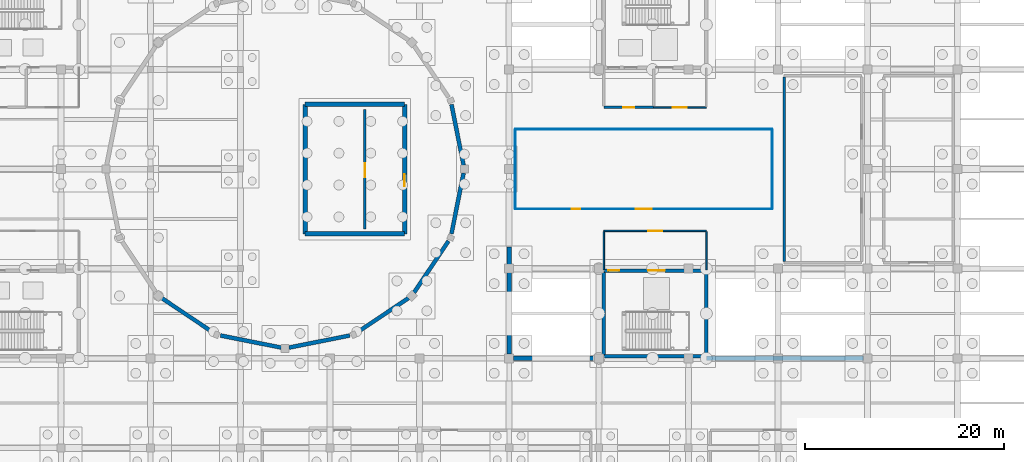
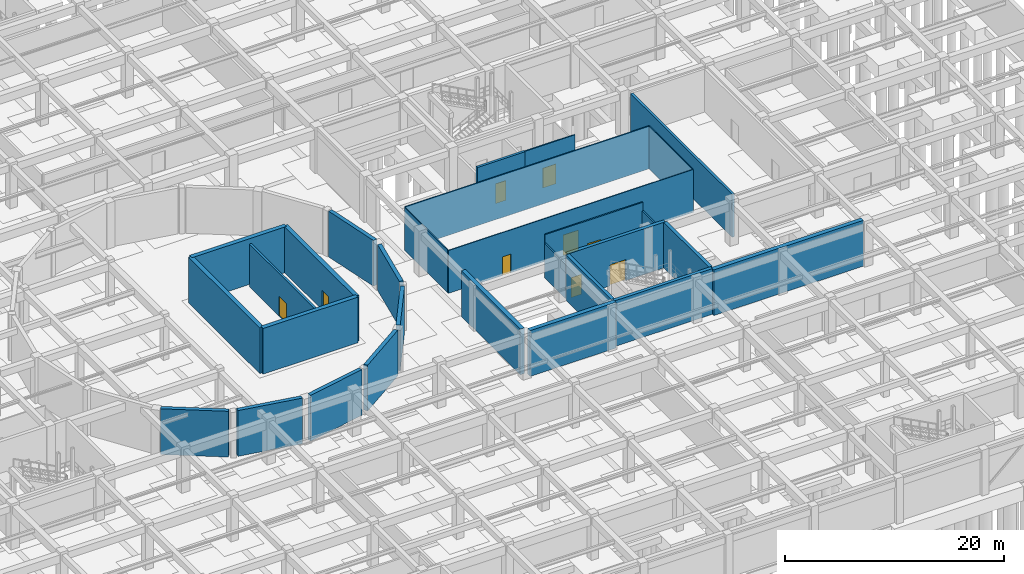
# One storey, part 45 of 62: 29 walls, 9 doors, 9 openings.
"""IFC4 building model written with IfcOpenShell, lengths in metres."""

from ifc_helpers import new_model, si_unit, direction, frame, frame_2d, origin, place, context, subcontext, project, spatial, rectangle, extrude, material, layer, layer_set, type_object, element, fill, save


model = new_model("IFC4")

# Units and contexts
model_context = context("Model", 3, precision=1e-05, world=origin(), true_north=direction((0.0, 1.0)))
body_context = subcontext(model_context, "Body", "Model", "MODEL_VIEW")
ifc_project = project(units=[si_unit("LENGTHUNIT", "METRE"), si_unit("AREAUNIT", "SQUARE_METRE"), si_unit("VOLUMEUNIT", "CUBIC_METRE"), si_unit("PLANEANGLEUNIT", "RADIAN"), si_unit("MASSUNIT", "GRAM", prefix="KILO")], contexts=[model_context])

# Site, building, storey
site_placement = place(None, origin())
site = spatial("IfcSite", under=ifc_project, at=site_placement, CompositionType="ELEMENT")
building_placement = place(site_placement, origin())
building = spatial("IfcBuilding", under=site, at=building_placement, Name="Miravela Opera House", CompositionType="ELEMENT")
storey_placement = place(building_placement, frame((0.0, 0.0, -5.10009765625)))
storey = spatial("IfcBuildingStorey", under=building, at=storey_placement, Name="B01", CompositionType="ELEMENT", Elevation=-5.10009765625)

# Wall, openings, doors
ifc_material_1 = material(Name="Acoustic metal-stud gypsum partition")
ifc_layer_1 = layer(ifc_material_1, 0.090087890625)
ifc_layer_set_1 = layer_set([ifc_layer_1])
wall_type_1 = type_object("IfcWallType", Name="ARC-PT-090", PredefinedType="PARTITIONING", material=ifc_layer_set_1)
wall_1_placement = place(storey_placement, frame((99.60009765625, 52.0, 0.0), z_axis=(0.0, 0.0, 1.0), x_axis=(1.0, 0.0, 0.0)))
wall_1 = element("IfcWall", 1, at=wall_1_placement, inside=storey, type_object=wall_type_1, Name="Orchestra Musician Warm-Up Hall Partition South", PredefinedType="PARTITIONING", context=body_context, shape_type="SweptSolid", body=[
    extrude(rectangle(XDim=25.7998046875, YDim=0.090087890625, at=frame_2d((12.89990234375, 0.0))), origin(), (0.0, 0.0, 1.0), 4.780029296875),
])
opening_1_placement = place(wall_1_placement, frame((12.10009765625, 0.0, 0.0)))
opening_1 = element("IfcOpeningElement", 2, at=opening_1_placement, cuts=wall_1, Name="Opening FD-04", PredefinedType="OPENING", context=body_context, shape_type="SweptSolid", body=[
    extrude(rectangle(XDim=1.60009765625, YDim=2.25, at=frame_2d((0.800048828125, 1.125))), frame((0.0, 0.054931640625, 0.0), z_axis=(0.0, -1.0, 0.0), x_axis=(1.0, 0.0, 0.0)), (0.0, 0.0, 1.0), 0.110107421875),
])
opening_2_placement = place(wall_1_placement, frame((5.676025390625, 0.0, 0.0)))
opening_2 = element("IfcOpeningElement", 3, at=opening_2_placement, cuts=wall_1, Name="Opening ID-07", PredefinedType="OPENING", context=body_context, shape_type="SweptSolid", body=[
    extrude(rectangle(XDim=0.8798828125, YDim=2.080078125, at=frame_2d((0.43994140625, 1.0400390625))), frame((0.0, 0.054931640625, 0.0), z_axis=(0.0, -1.0, 0.0), x_axis=(1.0, 0.0, 0.0)), (0.0, 0.0, 1.0), 0.110107421875),
])
ifc_material_2 = material(Name="Fire-rated rehearsal/vomitory double door")
door_type_1 = type_object("IfcDoorType", Name="ARC-FD-1600X2250", OperationType="NOTDEFINED", PredefinedType="DOOR", material=ifc_material_2)
door_1_placement = place(opening_1_placement, origin())
door_1 = element("IfcDoor", 4, at=door_1_placement, inside=storey, type_object=door_type_1, Name="Orchestra Musician Warm-Up Hall Entry Door IDR-B01-0071", OperationType="DOUBLE_DOOR_SINGLE_SWING", OverallHeight=2.25, OverallWidth=1.60009765625, PredefinedType="DOOR", context=body_context, shape_type="SweptSolid", body=[
    extrude(rectangle(XDim=1.60009765625, YDim=2.25, at=frame_2d((0.800048828125, 1.125))), frame((0.0, 0.02490234375, 0.0), z_axis=(0.0, -1.0, 0.0), x_axis=(1.0, 0.0, 0.0)), (0.0, 0.0, 1.0), 0.050048828125),
])
fill(opening_1, door_1)
ifc_material_3 = material(Name="Hardwood acoustic timber door leaf", Category="wood")
door_type_2 = type_object("IfcDoorType", Name="ARC-IDR-88X208", OperationType="NOTDEFINED", PredefinedType="DOOR", material=ifc_material_3)
door_2_placement = place(opening_2_placement, origin())
door_2 = element("IfcDoor", 5, at=door_2_placement, inside=storey, type_object=door_type_2, Name="Orchestra Musician Warm-Up Hall Secondary Exit Door IDR-B01-0072", OperationType="SINGLE_SWING_RIGHT", OverallHeight=2.080078125, OverallWidth=0.8798828125, PredefinedType="DOOR", context=body_context, shape_type="SweptSolid", body=[
    extrude(rectangle(XDim=0.8798828125, YDim=2.080078125, at=frame_2d((0.43994140625, 1.0400390625))), frame((0.0, 0.02490234375, 0.0), z_axis=(0.0, -1.0, 0.0), x_axis=(1.0, 0.0, 0.0)), (0.0, 0.0, 1.0), 0.050048828125),
])
fill(opening_2, door_2)

# Walls
wall_2_placement = place(storey_placement, frame((99.60009765625, 60.0, 0.0), z_axis=(0.0, 0.0, 1.0), x_axis=(1.0, 0.0, 0.0)))
element("IfcWall", 6, at=wall_2_placement, inside=storey, type_object=wall_type_1, Name="Orchestra Musician Warm-Up Hall Partition North", PredefinedType="PARTITIONING", context=body_context, shape_type="SweptSolid", body=[
    extrude(rectangle(XDim=25.7998046875, YDim=0.090087890625, at=frame_2d((12.89990234375, 0.0))), origin(), (0.0, 0.0, 1.0), 4.780029296875),
])
for number, where, z_axis, x_axis, name in (
    (7, (99.60009765625, 52.044921875, 0.0), (0.0, 0.0, 1.0), (0.0, 1.0, 0.0), "Orchestra Musician Warm-Up Hall Partition West"),
    (8, (125.39990234375, 52.044921875, 0.0), (0.0, 0.0, 1.0), (0.0, 1.0, 0.0), "Orchestra Musician Warm-Up Hall Partition East"),
):
    element("IfcWall", number, at=place(storey_placement, frame(where, z_axis=z_axis, x_axis=x_axis)), inside=storey, type_object=wall_type_1, Name=name, PredefinedType="PARTITIONING", context=body_context, shape_type="SweptSolid", body=[
        extrude(rectangle(XDim=7.91015625, YDim=0.090087890625, at=frame_2d((3.955078125, 0.0))), origin(), (0.0, 0.0, 1.0), 4.780029296875),
    ])

# Wall, opening, door
ifc_material_4 = material(Name="Fire-rated acoustic gypsum partition")
ifc_layer_2 = layer(ifc_material_4, 0.1298828125)
ifc_layer_set_2 = layer_set([ifc_layer_2])
wall_type_2 = type_object("IfcWallType", Name="ARC-PT-130", PredefinedType="PARTITIONING", material=ifc_layer_set_2)
wall_3_placement = place(storey_placement, frame((113.5, 62.199951171875, 0.0), z_axis=(0.0, 0.0, 1.0), x_axis=(1.0, 0.0, 0.0)))
wall_3 = element("IfcWall", 9, at=wall_3_placement, inside=storey, type_object=wall_type_2, Name="Passenger Lift Lobby K3 B01 Partition South", PredefinedType="PARTITIONING", context=body_context, shape_type="SweptSolid", body=[
    extrude(rectangle(XDim=5.300048828125, YDim=0.1298828125, at=frame_2d((2.64990234375, 0.0))), origin(), (0.0, 0.0, 1.0), 4.780029296875),
])
opening_3_placement = place(wall_3_placement, frame((1.949951171875, 0.0, 0.0)))
opening_3 = element("IfcOpeningElement", 10, at=opening_3_placement, cuts=wall_3, Name="Opening FD-03", PredefinedType="OPENING", context=body_context, shape_type="SweptSolid", body=[
    extrude(rectangle(XDim=1.39990234375, YDim=2.199951171875, at=frame_2d((0.699951171875, 1.10009765625))), frame((0.0, 0.074951171875, 0.0), z_axis=(0.0, -1.0, 0.0), x_axis=(1.0, 0.0, 0.0)), (0.0, 0.0, 1.0), 0.14990234375),
])
ifc_material_5 = material(Name="Fire-rated lobby/archive double door")
door_type_3 = type_object("IfcDoorType", Name="ARC-FD-1400X2200", OperationType="NOTDEFINED", PredefinedType="DOOR", material=ifc_material_5)
door_3_placement = place(opening_3_placement, frame((1.39990234375, 0.0, 0.0), z_axis=(0.0, 0.0, 1.0), x_axis=(-1.0, 0.0, 0.0)))
door_3 = element("IfcDoor", 11, at=door_3_placement, inside=storey, type_object=door_type_3, Name="Passenger Lift Lobby K3 B01 Entry Door IDR-B01-0064", OperationType="DOUBLE_DOOR_SINGLE_SWING", OverallHeight=2.199951171875, OverallWidth=1.39990234375, PredefinedType="DOOR", context=body_context, shape_type="SweptSolid", body=[
    extrude(rectangle(XDim=1.39990234375, YDim=2.199951171875, at=frame_2d((0.699951171875, 1.10009765625))), frame((0.0, 0.02490234375, 0.0), z_axis=(0.0, -1.0, 0.0), x_axis=(1.0, 0.0, 0.0)), (0.0, 0.0, 1.0), 0.050048828125),
])
fill(opening_3, door_3)

ifc_material_6 = material(Name="Studio double-stud acoustic partition")
ifc_layer_3 = layer(ifc_material_6, 0.14990234375)
ifc_layer_set_3 = layer_set([ifc_layer_3])
wall_type_3 = type_object("IfcWallType", Name="ARC-PT-145", PredefinedType="PARTITIONING", material=ifc_layer_set_3)
wall_4_placement = place(storey_placement, frame((108.5, 49.800048828125, 0.0), z_axis=(0.0, 0.0, 1.0), x_axis=(1.0, 0.0, 0.0)))
wall_4 = element("IfcWall", 12, at=wall_4_placement, inside=storey, type_object=wall_type_3, Name="Passenger Lift Lobby K4 B01 Partition North", PredefinedType="PARTITIONING", context=body_context, shape_type="SweptSolid", body=[
    extrude(rectangle(XDim=10.300048828125, YDim=0.14990234375, at=frame_2d((5.14990234375, 0.0))), origin(), (0.0, 0.0, 1.0), 4.780029296875),
])
opening_4_placement = place(wall_4_placement, frame((4.449951171875, 0.0, 0.0)))
opening_4 = element("IfcOpeningElement", 13, at=opening_4_placement, cuts=wall_4, Name="Opening FD-03", PredefinedType="OPENING", context=body_context, shape_type="SweptSolid", body=[
    extrude(rectangle(XDim=1.39990234375, YDim=2.199951171875, at=frame_2d((0.699951171875, 1.10009765625))), frame((0.0, 0.0849609375, 0.0), z_axis=(0.0, -1.0, 0.0), x_axis=(1.0, 0.0, 0.0)), (0.0, 0.0, 1.0), 0.169921875),
])
door_4_placement = place(opening_4_placement, origin())
door_4 = element("IfcDoor", 14, at=door_4_placement, inside=storey, type_object=door_type_3, Name="Passenger Lift Lobby K4 B01 Entry Door IDR-B01-0065", OperationType="DOUBLE_DOOR_SINGLE_SWING", OverallHeight=2.199951171875, OverallWidth=1.39990234375, PredefinedType="DOOR", context=body_context, shape_type="SweptSolid", body=[
    extrude(rectangle(XDim=1.39990234375, YDim=2.199951171875, at=frame_2d((0.699951171875, 1.10009765625))), frame((0.0, 0.02490234375, 0.0), z_axis=(0.0, -1.0, 0.0), x_axis=(1.0, 0.0, 0.0)), (0.0, 0.0, 1.0), 0.050048828125),
])
fill(opening_4, door_4)

# Walls
for number, where, z_axis, x_axis, name in (
    (15, (108.5, 45.875, 0.0), (0.0, 0.0, 1.0), (0.0, 1.0, 0.0), "Passenger Lift Lobby K4 B01 Partition West"),
    (16, (118.800048828125, 45.875, 0.0), (0.0, 0.0, 1.0), (0.0, 1.0, 0.0), "Passenger Lift Lobby K4 B01 Partition East"),
):
    element("IfcWall", number, at=place(storey_placement, frame(where, z_axis=z_axis, x_axis=x_axis)), inside=storey, type_object=wall_type_3, Name=name, PredefinedType="PARTITIONING", context=body_context, shape_type="SweptSolid", body=[
        extrude(rectangle(XDim=3.85009765625, YDim=0.14990234375, at=frame_2d((1.925048828125, 0.0))), origin(), (0.0, 0.0, 1.0), 3.860107421875),
    ])

# Wall, opening, door
ifc_material_7 = material(Name="High-STC auditorium lobby partition")
ifc_layer_4 = layer(ifc_material_7, 0.22998046875)
ifc_layer_set_4 = layer_set([ifc_layer_4])
wall_type_4 = type_object("IfcWallType", Name="ARC-PT-205", PredefinedType="PARTITIONING", material=ifc_layer_set_4)
wall_5_placement = place(storey_placement, frame((84.5, 50.0, 0.0), z_axis=(0.0, 0.0, 1.0), x_axis=(0.0, 1.0, 0.0)))
wall_5 = element("IfcWall", 17, at=wall_5_placement, inside=storey, type_object=wall_type_4, Name="Orchestra Pit to Substage Acoustic Partition", PredefinedType="PARTITIONING", context=body_context, shape_type="SweptSolid", body=[
    extrude(rectangle(XDim=12.0, YDim=0.22998046875, at=frame_2d((6.0, 0.0))), origin(), (0.0, 0.0, 1.0), 4.75),
])
opening_5_placement = place(wall_5_placement, frame((5.199951171875, 0.0, 0.0)))
opening_5 = element("IfcOpeningElement", 18, at=opening_5_placement, cuts=wall_5, Name="Opening FD-03", PredefinedType="OPENING", context=body_context, shape_type="SweptSolid", body=[
    extrude(rectangle(XDim=1.39990234375, YDim=2.199951171875, at=frame_2d((0.699951171875, 1.10009765625))), frame((0.0, 0.125, 0.0), z_axis=(0.0, -1.0, 0.0), x_axis=(1.0, 0.0, 0.0)), (0.0, 0.0, 1.0), 0.25),
])
door_5_placement = place(opening_5_placement, origin())
door_5 = element("IfcDoor", 19, at=door_5_placement, inside=storey, type_object=door_type_3, Name="Orchestra Pit to Substage Trap Door IDR-B01-0058", OperationType="DOUBLE_DOOR_SINGLE_SWING", OverallHeight=2.199951171875, OverallWidth=1.39990234375, PredefinedType="DOOR", context=body_context, shape_type="SweptSolid", body=[
    extrude(rectangle(XDim=1.39990234375, YDim=2.199951171875, at=frame_2d((0.699951171875, 1.10009765625))), frame((0.0, 0.02490234375, 0.0), z_axis=(0.0, -1.0, 0.0), x_axis=(1.0, 0.0, 0.0)), (0.0, 0.0, 1.0), 0.050048828125),
])
fill(opening_5, door_5)

ifc_material_8 = material(Name="Firefighting lobby compartment wall")
ifc_layer_5 = layer(ifc_material_8, 0.25)
ifc_layer_set_5 = layer_set([ifc_layer_5])
wall_type_5 = type_object("IfcWallType", Name="ARC-PT-220", PredefinedType="PARTITIONING", material=ifc_layer_set_5)
wall_6_placement = place(storey_placement, frame((108.5, 62.199951171875, 0.0), z_axis=(0.0, 0.0, 1.0), x_axis=(1.0, 0.0, 0.0)))
wall_6 = element("IfcWall", 20, at=wall_6_placement, inside=storey, type_object=wall_type_5, Name="Firefighting Lobby K3 B01 Partition South", PredefinedType="PARTITIONING", context=body_context, shape_type="SweptSolid", body=[
    extrude(rectangle(XDim=5.0, YDim=0.25, at=frame_2d((2.5, 0.0))), origin(), (0.0, 0.0, 1.0), 4.780029296875),
])
opening_6_placement = place(wall_6_placement, frame((1.949951171875, 0.0, 0.0)))
opening_6 = element("IfcOpeningElement", 21, at=opening_6_placement, cuts=wall_6, Name="Opening FD-01", PredefinedType="OPENING", context=body_context, shape_type="SweptSolid", body=[
    extrude(rectangle(XDim=1.10009765625, YDim=2.199951171875, at=frame_2d((0.550048828125, 1.10009765625))), frame((0.0, 0.135009765625, 0.0), z_axis=(0.0, -1.0, 0.0), x_axis=(1.0, 0.0, 0.0)), (0.0, 0.0, 1.0), 0.27001953125),
])
ifc_material_9 = material(Name="Fire-rated steel/hardwood exit stair door", Category="steel")
door_type_4 = type_object("IfcDoorType", Name="ARC-FD-1100X2200", OperationType="NOTDEFINED", PredefinedType="DOOR", material=ifc_material_9)
door_6_placement = place(opening_6_placement, frame((1.10009765625, 0.0, 0.0), z_axis=(0.0, 0.0, 1.0), x_axis=(-1.0, 0.0, 0.0)))
door_6 = element("IfcDoor", 22, at=door_6_placement, inside=storey, type_object=door_type_4, Name="Firefighting Lobby K3 B01 Entry Door IDR-B01-0063", OperationType="SINGLE_SWING_RIGHT", OverallHeight=2.199951171875, OverallWidth=1.10009765625, PredefinedType="DOOR", context=body_context, shape_type="SweptSolid", body=[
    extrude(rectangle(XDim=1.10009765625, YDim=2.199951171875, at=frame_2d((0.550048828125, 1.10009765625))), frame((0.0, 0.02490234375, 0.0), z_axis=(0.0, -1.0, 0.0), x_axis=(1.0, 0.0, 0.0)), (0.0, 0.0, 1.0), 0.050048828125),
])
fill(opening_6, door_6)

# Walls
wall_7_placement = place(storey_placement, frame((126.60009765625, 46.72509765625, 0.0), z_axis=(0.0, 0.0, 1.0), x_axis=(0.0, 1.0, 0.0)))
element("IfcWall", 23, at=wall_7_placement, inside=storey, type_object=wall_type_5, Name="Musical Instrument Climate Vault Partition West", PredefinedType="PARTITIONING", context=body_context, shape_type="SweptSolid", body=[
    extrude(rectangle(XDim=18.5498046875, YDim=0.25, at=frame_2d((9.27490234375, 0.0))), origin(), (0.0, 0.0, 1.0), 4.780029296875),
])
ifc_material_10 = material(Name="Concrete C40/50", Category="concrete")
ifc_layer_6 = layer(ifc_material_10, 0.35009765625)
ifc_layer_set_6 = layer_set([ifc_layer_6])
wall_type_6 = type_object("IfcWallType", Name="STR-WALL-CORE-350", PredefinedType="SHEAR", material=ifc_layer_set_6)
wall_8_placement = place(storey_placement, frame((108.5, 37.199951171875, 0.0), z_axis=(0.0, 0.0, 1.0), x_axis=(1.0, 0.0, 0.0)))
element("IfcWall", 24, at=wall_8_placement, inside=storey, type_object=wall_type_6, Name="Core K4 Shear Wall South (B01)", PredefinedType="SHEAR", context=body_context, shape_type="SweptSolid", body=[
    extrude(rectangle(XDim=10.300048828125, YDim=0.35009765625, at=frame_2d((5.14990234375, 0.0))), origin(), (0.0, 0.0, 1.0), 5.10009765625),
])

# Wall, openings, doors
wall_9_placement = place(storey_placement, frame((108.5, 45.800048828125, 0.0), z_axis=(0.0, 0.0, 1.0), x_axis=(1.0, 0.0, 0.0)))
wall_9 = element("IfcWall", 25, at=wall_9_placement, inside=storey, type_object=wall_type_6, Name="Core K4 Shear Wall North (B01)", PredefinedType="SHEAR", context=body_context, shape_type="SweptSolid", body=[
    extrude(rectangle(XDim=10.300048828125, YDim=0.35009765625, at=frame_2d((5.14990234375, 0.0))), origin(), (0.0, 0.0, 1.0), 5.10009765625),
])
opening_7_placement = place(wall_9_placement, frame((0.449951171875, 0.0, 0.0)))
opening_7 = element("IfcOpeningElement", 26, at=opening_7_placement, cuts=wall_9, Name="Opening FD-01", PredefinedType="OPENING", context=body_context, shape_type="SweptSolid", body=[
    extrude(rectangle(XDim=1.10009765625, YDim=2.199951171875, at=frame_2d((0.550048828125, 1.10009765625))), frame((0.0, 0.18505859375, 0.0), z_axis=(0.0, -1.0, 0.0), x_axis=(1.0, 0.0, 0.0)), (0.0, 0.0, 1.0), 0.3701171875),
])
opening_8_placement = place(wall_9_placement, frame((4.47509765625, 0.0, 0.0)))
opening_8 = element("IfcOpeningElement", 27, at=opening_8_placement, cuts=wall_9, Name="Opening LD-03", PredefinedType="OPENING", context=body_context, shape_type="SweptSolid", body=[
    extrude(rectangle(XDim=1.64990234375, YDim=2.340087890625, at=frame_2d((0.824951171875, 1.169921875))), frame((0.0, 0.18505859375, 0.0), z_axis=(0.0, -1.0, 0.0), x_axis=(1.0, 0.0, 0.0)), (0.0, 0.0, 1.0), 0.3701171875),
])
door_7_placement = place(opening_7_placement, frame((1.10009765625, 0.0, 0.0), z_axis=(0.0, 0.0, 1.0), x_axis=(-1.0, 0.0, 0.0)))
door_7 = element("IfcDoor", 28, at=door_7_placement, inside=storey, type_object=door_type_4, Name="Exit Stair ST-04 Rated Door (B01) IDR-B01-0023", OperationType="SINGLE_SWING_LEFT", OverallHeight=2.199951171875, OverallWidth=1.10009765625, PredefinedType="DOOR", context=body_context, shape_type="SweptSolid", body=[
    extrude(rectangle(XDim=1.10009765625, YDim=2.199951171875, at=frame_2d((0.550048828125, 1.10009765625))), frame((0.0, 0.02490234375, 0.0), z_axis=(0.0, -1.0, 0.0), x_axis=(1.0, 0.0, 0.0)), (0.0, 0.0, 1.0), 0.050048828125),
])
fill(opening_7, door_7)
ifc_material_11 = material(Name="Brushed stainless and bronze fire-rated lift landing door")
door_type_5 = type_object("IfcDoorType", Name="ARC-LD-FRT-1650X2350", OperationType="SLIDING_TO_LEFT", PredefinedType="DOOR", material=ifc_material_11)
door_8_placement = place(opening_8_placement, origin())
door_8 = element("IfcDoor", 29, at=door_8_placement, inside=storey, type_object=door_type_5, Name="Lift Landing Door FL-02 (B01)", OperationType="SLIDING_TO_LEFT", OverallHeight=2.340087890625, OverallWidth=1.64990234375, PredefinedType="DOOR", context=body_context, shape_type="SweptSolid", body=[
    extrude(rectangle(XDim=1.64990234375, YDim=2.340087890625, at=frame_2d((0.824951171875, 1.169921875))), frame((0.0, 0.02490234375, 0.0), z_axis=(0.0, -1.0, 0.0), x_axis=(1.0, 0.0, 0.0)), (0.0, 0.0, 1.0), 0.050048828125),
])
fill(opening_8, door_8)

# Walls
for number, where, z_axis, x_axis, name in (
    (30, (108.5, 37.375, 0.0), (0.0, 0.0, 1.0), (0.0, 1.0, 0.0), "Core K4 Shear Wall West (B01)"),
    (31, (118.800048828125, 37.375, 0.0), (0.0, 0.0, 1.0), (0.0, 1.0, 0.0), "Core K4 Shear Wall East (B01)"),
):
    element("IfcWall", number, at=place(storey_placement, frame(where, z_axis=z_axis, x_axis=x_axis)), inside=storey, type_object=wall_type_6, Name=name, PredefinedType="SHEAR", context=body_context, shape_type="SweptSolid", body=[
        extrude(rectangle(XDim=8.25, YDim=0.35009765625, at=frame_2d((4.125, 0.0))), origin(), (0.0, 0.0, 1.0), 5.10009765625),
    ])
ifc_layer_7 = layer(ifc_material_10, 0.39990234375)
ifc_layer_set_7 = layer_set([ifc_layer_7])
wall_type_7 = type_object("IfcWallType", Name="STR-WALL-DRUM-400", PredefinedType="SHEAR", material=ifc_layer_set_7)
wall_10_placement = place(storey_placement, frame((94.422119140625, 56.392333984375, 0.0), z_axis=(0.0, 0.0, 1.0), x_axis=(-0.195127752786, 0.980777834218, 0.0)))
element("IfcWall", 32, at=wall_10_placement, inside=storey, type_object=wall_type_7, Name="Auditorium Drum Shear Wall B01 Seg 1", PredefinedType="SHEAR", context=body_context, shape_type="SweptSolid", body=[
    extrude(rectangle(XDim=6.223388671875, YDim=0.39990234375, at=frame_2d((3.11181640625, 0.0))), origin(), (0.0, 0.0, 1.0), 5.10009765625),
])
wall_11_placement = place(storey_placement, frame((64.104736328125, 43.0498046875, 0.0), z_axis=(0.0, 0.0, 1.0), x_axis=(0.831458341015, -0.555587101324, 0.0)))
element("IfcWall", 33, at=wall_11_placement, inside=storey, type_object=wall_type_7, Name="Auditorium Drum Shear Wall B01 Seg 11", PredefinedType="SHEAR", context=body_context, shape_type="SweptSolid", body=[
    extrude(rectangle(XDim=6.22314453125, YDim=0.39990234375, at=frame_2d((3.111572265625, 0.0))), origin(), (0.0, 0.0, 1.0), 5.10009765625),
])
for number, where, z_axis, x_axis, name in (
    (34, (70.00390625, 39.292236328125, 0.0), (0.0, 0.0, 1.0), (0.980777834218, -0.195127752786, 0.0), "Auditorium Drum Shear Wall B01 Seg 12"),
    (35, (76.892333984375, 38.077880859375, 0.0), (0.0, 0.0, 1.0), (0.980777834218, 0.195127752786, 0.0), "Auditorium Drum Shear Wall B01 Seg 13"),
):
    element("IfcWall", number, at=place(storey_placement, frame(where, z_axis=z_axis, x_axis=x_axis)), inside=storey, type_object=wall_type_7, Name=name, PredefinedType="SHEAR", context=body_context, shape_type="SweptSolid", body=[
        extrude(rectangle(XDim=6.223388671875, YDim=0.39990234375, at=frame_2d((3.11181640625, 0.0))), origin(), (0.0, 0.0, 1.0), 5.10009765625),
    ])
for number, where, z_axis, x_axis, name in (
    (36, (83.720947265625, 39.59228515625, 0.0), (0.0, 0.0, 1.0), (0.831458341015, 0.555587101324, 0.0), "Auditorium Drum Shear Wall B01 Seg 14"),
    (37, (89.4501953125, 43.604736328125, 0.0), (0.0, 0.0, 1.0), (0.555587101324, 0.831458341015, 0.0), "Auditorium Drum Shear Wall B01 Seg 15"),
):
    element("IfcWall", number, at=place(storey_placement, frame(where, z_axis=z_axis, x_axis=x_axis)), inside=storey, type_object=wall_type_7, Name=name, PredefinedType="SHEAR", context=body_context, shape_type="SweptSolid", body=[
        extrude(rectangle(XDim=6.22314453125, YDim=0.39990234375, at=frame_2d((3.111572265625, 0.0))), origin(), (0.0, 0.0, 1.0), 5.10009765625),
    ])
wall_12_placement = place(storey_placement, frame((93.207763671875, 49.50390625, 0.0), z_axis=(0.0, 0.0, 1.0), x_axis=(0.195127752786, 0.980777834218, 0.0)))
element("IfcWall", 38, at=wall_12_placement, inside=storey, type_object=wall_type_7, Name="Auditorium Drum Shear Wall B01 Seg 16", PredefinedType="SHEAR", context=body_context, shape_type="SweptSolid", body=[
    extrude(rectangle(XDim=6.223388671875, YDim=0.39990234375, at=frame_2d((3.11181640625, 0.0))), origin(), (0.0, 0.0, 1.0), 5.10009765625),
])
ifc_layer_8 = layer(ifc_material_10, 0.449951171875)
ifc_layer_set_8 = layer_set([ifc_layer_8])
wall_type_8 = type_object("IfcWallType", Name="STR-WALL-PROSC-450", PredefinedType="SHEAR", material=ifc_layer_set_8)
for number, where, z_axis, x_axis, name in (
    (39, (78.5, 62.5, 0.0), (0.0, 0.0, 1.0), (1.0, 0.0, 0.0), "Substage Pit Shear Wall PIT-W-N"),
    (40, (78.5, 49.5, 0.0), (0.0, 0.0, 1.0), (1.0, 0.0, 0.0), "Substage Pit Shear Wall PIT-W-S"),
):
    element("IfcWall", number, at=place(storey_placement, frame(where, z_axis=z_axis, x_axis=x_axis)), inside=storey, type_object=wall_type_8, Name=name, PredefinedType="SHEAR", context=body_context, shape_type="SweptSolid", body=[
        extrude(rectangle(XDim=10.0, YDim=0.449951171875, at=frame_2d((5.0, 0.0))), origin(), (0.0, 0.0, 1.0), 5.10009765625),
    ])
wall_13_placement = place(storey_placement, frame((78.5, 49.5, 0.0), z_axis=(0.0, 0.0, 1.0), x_axis=(0.0, 1.0, 0.0)))
element("IfcWall", 41, at=wall_13_placement, inside=storey, type_object=wall_type_8, Name="Substage Pit Shear Wall PIT-W-W", PredefinedType="SHEAR", context=body_context, shape_type="SweptSolid", body=[
    extrude(rectangle(XDim=13.0, YDim=0.449951171875, at=frame_2d((6.5, 0.0))), origin(), (0.0, 0.0, 1.0), 5.10009765625),
])

# Wall, opening, door
wall_14_placement = place(storey_placement, frame((88.5, 49.5, 0.0), z_axis=(0.0, 0.0, 1.0), x_axis=(0.0, 1.0, 0.0)))
wall_14 = element("IfcWall", 42, at=wall_14_placement, inside=storey, type_object=wall_type_8, Name="Substage Pit Shear Wall PIT-W-E", PredefinedType="SHEAR", context=body_context, shape_type="SweptSolid", body=[
    extrude(rectangle(XDim=13.0, YDim=0.449951171875, at=frame_2d((6.5, 0.0))), origin(), (0.0, 0.0, 1.0), 5.10009765625),
])
opening_9_placement = place(wall_14_placement, frame((4.800048828125, 0.0, 0.0)))
opening_9 = element("IfcOpeningElement", 43, at=opening_9_placement, cuts=wall_14, Name="Opening FD-02", PredefinedType="OPENING", context=body_context, shape_type="SweptSolid", body=[
    extrude(rectangle(XDim=1.199951171875, YDim=2.199951171875, at=frame_2d((0.60009765625, 1.10009765625))), frame((0.0, 0.23486328125, 0.0), z_axis=(0.0, -1.0, 0.0), x_axis=(1.0, 0.0, 0.0)), (0.0, 0.0, 1.0), 0.469970703125),
])
ifc_material_12 = material(Name="Fire-rated gallery/plant exit door")
door_type_6 = type_object("IfcDoorType", Name="ARC-FD-1200X2200", OperationType="NOTDEFINED", PredefinedType="DOOR", material=ifc_material_12)
door_9_placement = place(opening_9_placement, origin())
door_9 = element("IfcDoor", 44, at=door_9_placement, inside=storey, type_object=door_type_6, Name="Substage Trap to Basement Service Door IDR-B01-0059", OperationType="SINGLE_SWING_RIGHT", OverallHeight=2.199951171875, OverallWidth=1.199951171875, PredefinedType="DOOR", context=body_context, shape_type="SweptSolid", body=[
    extrude(rectangle(XDim=1.199951171875, YDim=2.199951171875, at=frame_2d((0.60009765625, 1.10009765625))), frame((0.0, 0.02490234375, 0.0), z_axis=(0.0, -1.0, 0.0), x_axis=(1.0, 0.0, 0.0)), (0.0, 0.0, 1.0), 0.050048828125),
])
fill(opening_9, door_9)

# Walls
wall_15_placement = place(storey_placement, frame((99.0, 37.449951171875, 0.0), z_axis=(0.0, 0.0, 1.0), x_axis=(0.0, 1.0, 0.0)))
element("IfcWall", 45, at=wall_15_placement, inside=storey, type_object=wall_type_8, Name="Proscenium Shear Wall South (B01)", PredefinedType="SHEAR", context=body_context, shape_type="SweptSolid", body=[
    extrude(rectangle(XDim=10.75, YDim=0.449951171875, at=frame_2d((5.375, 0.0))), origin(), (0.0, 0.0, 1.0), 5.10009765625),
])
wall_16_placement = place(storey_placement, frame((99.425048828125, 37.0, 0.0), z_axis=(0.0, 0.0, 1.0), x_axis=(1.0, 0.0, 0.0)))
element("IfcWall", 46, at=wall_16_placement, inside=storey, type_object=wall_type_8, Name="Stage House South Shear Wall W (B01)", PredefinedType="SHEAR", context=body_context, shape_type="SweptSolid", body=[
    extrude(rectangle(XDim=9.074951171875, YDim=0.449951171875, at=frame_2d((4.53759765625, 0.0))), origin(), (0.0, 0.0, 1.0), 5.10009765625),
])
wall_17_placement = place(storey_placement, frame((118.800048828125, 37.0, 0.0), z_axis=(0.0, 0.0, 1.0), x_axis=(1.0, 0.0, 0.0)))
element("IfcWall", 47, at=wall_17_placement, inside=storey, type_object=wall_type_8, Name="Stage House South Shear Wall E (B01)", PredefinedType="SHEAR", context=body_context, shape_type="SweptSolid", body=[
    extrude(rectangle(XDim=15.77490234375, YDim=0.449951171875, at=frame_2d((7.887451171875, 0.0))), origin(), (0.0, 0.0, 1.0), 5.10009765625),
])

save(model, "model.ifc")
